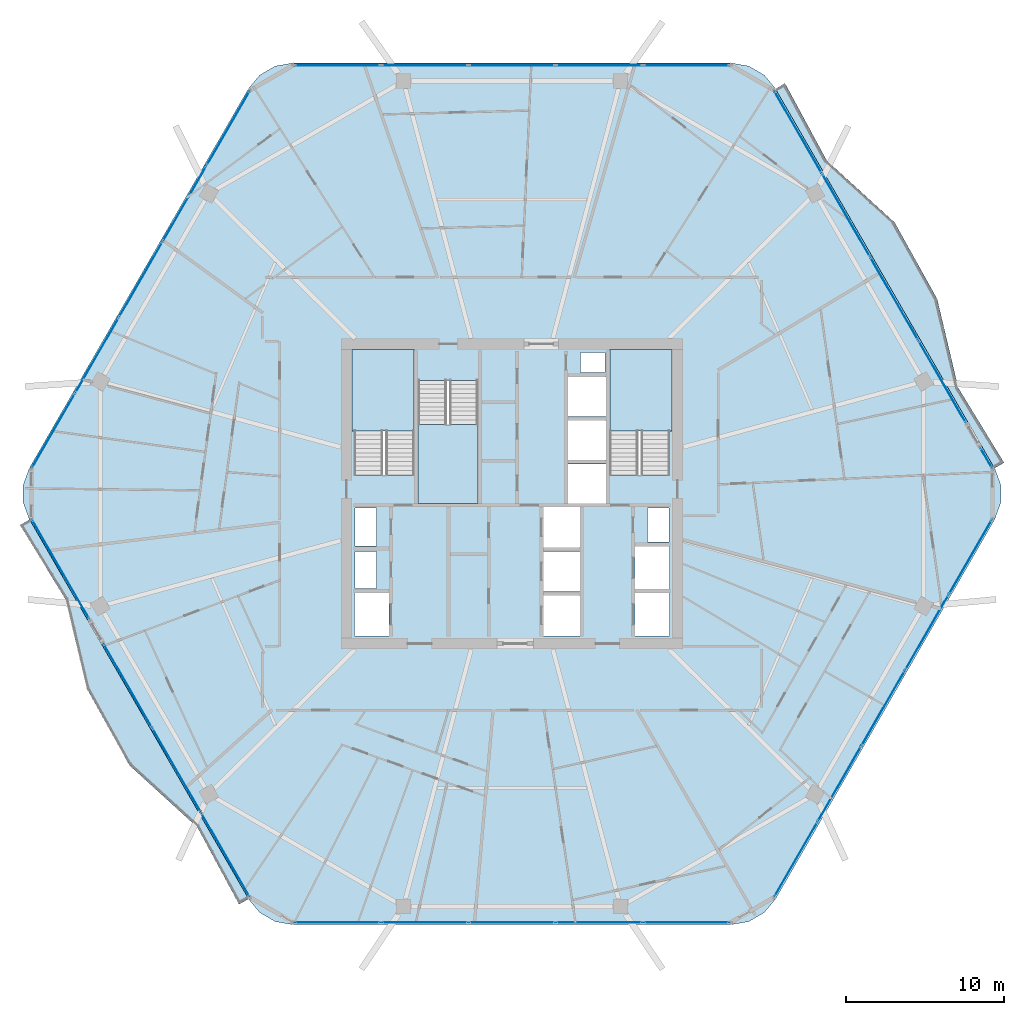
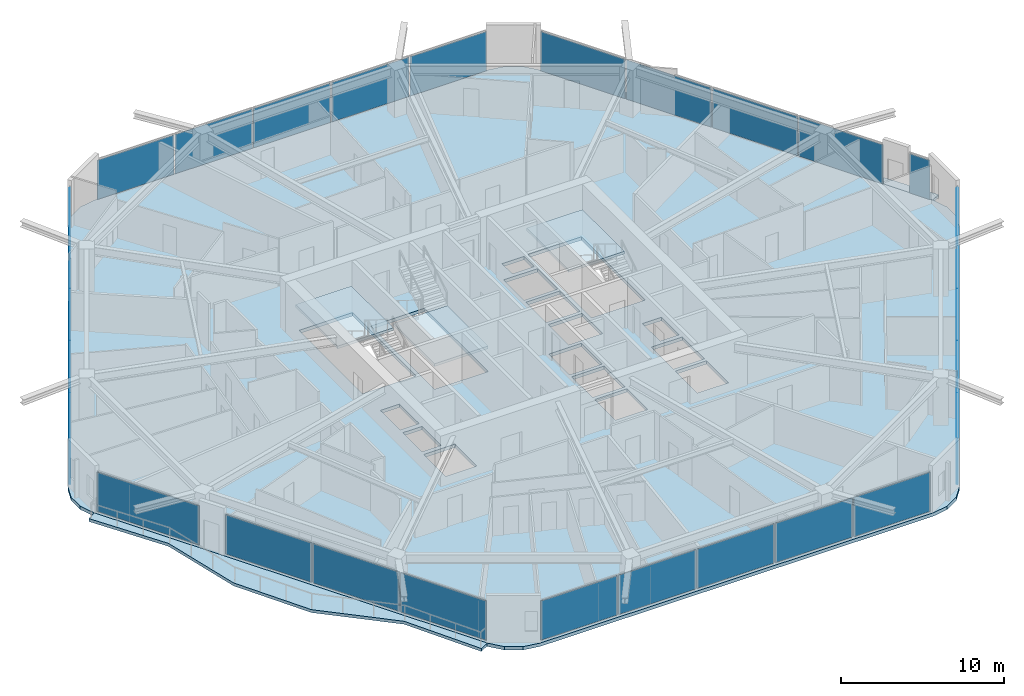
# One storey, part 17 of 26: 29 plates, 6 slabs, 11 elements without a shape of their own.
"""IFC4 building model written with IfcOpenShell, lengths in metres."""

import ifcopenshell
import ifcopenshell.guid

model = None  # the IFC model being written
_history = None  # IfcOwnerHistory: only IFC2X3 demands one
_inside = {}  # id of a spatial element -> (the spatial element, [elements in it])
_under = {}  # id of a project, library or spatial element -> (it, [spatial elements below it])
_declared = {}  # id of a project -> (the project, [libraries it declares])
_typed = {}  # id of a type object -> (the type object, [elements of that type])
_made_of = {}  # id of a material, layer set ... -> (it, [elements and type objects made of it])


def new_model(schema):
    """Start an empty IFC model of exactly this schema.

    Asked for "IFC4X3", IfcOpenShell would pick the latest addendum, in which some entities
    have other attributes; the version numbers below select the first issue.
    IFC2X3 requires an IfcOwnerHistory on every rooted entity: one is made here for all.
    """
    global model, _history
    if schema == "IFC4X3":
        model = ifcopenshell.file(schema_version=(4, 3, 0, 0))
    else:
        model = ifcopenshell.file(schema=schema)
    _inside.clear()
    _under.clear()
    _declared.clear()
    _typed.clear()
    _made_of.clear()
    _history = None
    if model.schema == "IFC2X3":
        org = make("IfcOrganization", Name="unknown")
        user = make(
            "IfcPersonAndOrganization",
            ThePerson=make("IfcPerson", FamilyName="unknown"),
            TheOrganization=org,
        )
        app = make(
            "IfcApplication",
            ApplicationDeveloper=org,
            Version="unknown",
            ApplicationFullName="unknown",
            ApplicationIdentifier="unknown",
        )
        _history = make(
            "IfcOwnerHistory",
            OwningUser=user,
            OwningApplication=app,
            ChangeAction="ADDED",
            CreationDate=0,
        )
    return model


def make(cls, **values):
    """One entity of the class cls with the attributes given. An attribute that is None is left unset."""
    return model.create_entity(
        cls, **{name: value for name, value in values.items() if value is not None}
    )


def rooted(cls, **values):
    """An entity with a GlobalId (a new one), such as an element, a storey or a relation."""
    return make(cls, GlobalId=ifcopenshell.guid.new(), OwnerHistory=_history, **values)


def si_unit(unit_type, name, prefix=None):
    """IfcSIUnit, for example si_unit("LENGTHUNIT", "METRE", prefix="MILLI")."""
    return make("IfcSIUnit", UnitType=unit_type, Prefix=prefix, Name=name)


def assignment(units):
    """IfcUnitAssignment: the units of a project."""
    return None if units is None else make("IfcUnitAssignment", Units=units)


def point(xyz):
    """IfcCartesianPoint."""
    return None if xyz is None else make("IfcCartesianPoint", Coordinates=xyz)


def direction(xyz):
    """IfcDirection."""
    return None if xyz is None else make("IfcDirection", DirectionRatios=xyz)


def frame(location, z_axis=None, x_axis=None):
    """IfcAxis2Placement3D, a coordinate frame: its origin and axes. An axis left out is left unset."""
    return make(
        "IfcAxis2Placement3D",
        Location=point(location),
        Axis=direction(z_axis),
        RefDirection=direction(x_axis),
    )


def frame_2d(location, x_axis=None):
    """IfcAxis2Placement2D, a coordinate frame in the plane: its origin and x axis."""
    return make(
        "IfcAxis2Placement2D", Location=point(location), RefDirection=direction(x_axis)
    )


def origin():
    """The frame at (0, 0, 0) with its axes left unset."""
    return frame((0.0, 0.0, 0.0))


def origin_2d():
    """The frame at (0, 0) in the plane with its x axis left unset."""
    return frame_2d((0.0, 0.0))


def place(relative_to, where):
    """IfcLocalPlacement: puts the frame where relative to a parent placement (None: the world)."""
    return make(
        "IfcLocalPlacement", PlacementRelTo=relative_to, RelativePlacement=where
    )


def context(
    kind, dimensions, precision=None, world=None, true_north=None, identifier=None
):
    """IfcGeometricRepresentationContext, for example the 3D "Model" context."""
    return make(
        "IfcGeometricRepresentationContext",
        ContextIdentifier=identifier,
        ContextType=kind,
        CoordinateSpaceDimension=dimensions,
        Precision=precision,
        WorldCoordinateSystem=world,
        TrueNorth=true_north,
    )


def subcontext(parent, identifier, kind, view, scale=None):
    """IfcGeometricRepresentationSubContext, for example "Body" below "Model"."""
    return make(
        "IfcGeometricRepresentationSubContext",
        ContextIdentifier=identifier,
        ContextType=kind,
        ParentContext=parent,
        TargetScale=scale,
        TargetView=view,
    )


def project(units=None, contexts=None):
    """IfcProject with its units and contexts."""
    return rooted(
        "IfcProject",
        Name="project",
        RepresentationContexts=contexts,
        UnitsInContext=assignment(units),
    )


def spatial(cls, under=None, at=None, **own):
    """A site, building, storey or space (cls), placed at a placement, below another one or the project."""
    s = rooted(cls, ObjectPlacement=at, **own)
    if under is not None:
        _under.setdefault(under.id(), (under, []))[1].append(s)
    return s


def polyline(points):
    """IfcPolyline through the points."""
    return make("IfcPolyline", Points=[point(p) for p in points])


def profile(cls, at=None, kind="AREA", **sizes):
    """A parametric profile (cls). Its sizes go by their IFC names, for example OverallWidth=200.0."""
    return make(cls, ProfileType=kind, Position=at, **sizes)


def rectangle(**sizes):
    """IfcRectangleProfileDef."""
    return profile("IfcRectangleProfileDef", **sizes)


def outline(outer, holes=None, kind="AREA"):
    """IfcArbitraryClosedProfileDef: a profile drawn as a closed curve; with holes, ...WithVoids."""
    if holes is None:
        return make("IfcArbitraryClosedProfileDef", ProfileType=kind, OuterCurve=outer)
    return make(
        "IfcArbitraryProfileDefWithVoids",
        ProfileType=kind,
        OuterCurve=outer,
        InnerCurves=holes,
    )


def extrude(swept, where, along, depth):
    """IfcExtrudedAreaSolid: the profile swept, set in the frame where, extruded along a direction by depth."""
    return make(
        "IfcExtrudedAreaSolid",
        SweptArea=swept,
        Position=where,
        ExtrudedDirection=direction(along),
        Depth=depth,
    )


def shape(context_of_items, identifier, shape_type, items):
    """IfcShapeRepresentation: the items that make up one representation, for example the "Body"."""
    return make(
        "IfcShapeRepresentation",
        ContextOfItems=context_of_items,
        RepresentationIdentifier=identifier,
        RepresentationType=shape_type,
        Items=items,
    )


def material(Name=None, Category=None):
    """IfcMaterial."""
    return make("IfcMaterial", Name=Name, Category=Category)


def layer(
    of_material, thickness, ventilated=None, Name=None, Category=None, Priority=None
):
    """IfcMaterialLayer: one layer of a wall or slab, of a material (None: an air gap)."""
    return make(
        "IfcMaterialLayer",
        Material=of_material,
        LayerThickness=thickness,
        IsVentilated=ventilated,
        Name=Name,
        Category=Category,
        Priority=Priority,
    )


def layer_set(layers, Name=None):
    """IfcMaterialLayerSet."""
    return make("IfcMaterialLayerSet", MaterialLayers=layers, LayerSetName=Name)


def made_of(thing, what):
    """Note that an element or type object is made of a material, layer set ...; save() writes the relation."""
    if what is not None:
        _made_of.setdefault(what.id(), (what, []))[1].append(thing)
    return thing


def type_object(cls, material=None, **own):
    """A type object (cls), such as IfcWallType, which elements share."""
    return made_of(rooted(cls, **own), material)


def element(
    cls,
    number,
    at=None,
    inside=None,
    cuts=None,
    type_object=None,
    material=None,
    context=None,
    identifier="Body",
    shape_type=None,
    held_by="IfcProductDefinitionShape",
    body=None,
    shapes=None,
    **own,
):
    """One element of the class cls, such as IfcWall. Its Tag is "e" and its number.

    at: its placement. inside: the storey or other place that contains it. cuts: it is an
    opening in that element (IfcRelVoidsElement). A single representation is given by context,
    identifier, shape_type and body (its items); several are given by shapes. held_by: the class
    of the entity that holds the representations. save() writes the other relations.
    """
    e = rooted(cls, Tag="e%d" % number, ObjectPlacement=at, **own)
    if body is not None:
        shapes = [shape(context, identifier, shape_type, body)]
    if shapes is not None:
        e.Representation = make(held_by, Representations=shapes)
    if inside is not None:
        _inside.setdefault(inside.id(), (inside, []))[1].append(e)
    if cuts is not None:
        rooted(
            "IfcRelVoidsElement", RelatingBuildingElement=cuts, RelatedOpeningElement=e
        )
    if type_object is not None:
        _typed.setdefault(type_object.id(), (type_object, []))[1].append(e)
    return made_of(e, material)


def aggregate(whole, parts):
    """IfcRelAggregates: a whole, such as a stair, and the parts it consists of."""
    return rooted("IfcRelAggregates", RelatingObject=whole, RelatedObjects=parts)


def save(model, path):
    """Write the relations noted so far, then the file.

    IfcRelAggregates (storeys below a building ...), IfcRelContainedInSpatialStructure (elements
    in a storey), IfcRelDefinesByType, IfcRelAssociatesMaterial and IfcRelDeclares: one each for
    every whole, place, type object, material and project.
    """
    for whole, parts in _under.values():
        aggregate(whole, parts)
    for where, things in _inside.values():
        rooted(
            "IfcRelContainedInSpatialStructure",
            RelatedElements=things,
            RelatingStructure=where,
        )
    for kind, things in _typed.values():
        rooted("IfcRelDefinesByType", RelatedObjects=things, RelatingType=kind)
    for what, things in _made_of.values():
        rooted("IfcRelAssociatesMaterial", RelatedObjects=things, RelatingMaterial=what)
    for by, libraries in _declared.values():
        rooted("IfcRelDeclares", RelatingContext=by, RelatedDefinitions=libraries)
    model.write(path)


model = new_model("IFC4")

# Units and contexts
model_context = context("Model", 3, precision=1e-05, world=origin(), true_north=direction((0.0, 1.0)))
body_context = subcontext(model_context, "Body", "Model", "MODEL_VIEW")
ifc_project = project(units=[si_unit("LENGTHUNIT", "METRE"), si_unit("AREAUNIT", "SQUARE_METRE"), si_unit("VOLUMEUNIT", "CUBIC_METRE"), si_unit("PLANEANGLEUNIT", "RADIAN"), si_unit("MASSUNIT", "GRAM", prefix="KILO")], contexts=[model_context])

# Site, building, storey
site_placement = place(None, origin())
site = spatial("IfcSite", under=ifc_project, at=site_placement, CompositionType="ELEMENT")
building_placement = place(site_placement, origin())
building = spatial("IfcBuilding", under=site, at=building_placement, Name="Zuhravey Tower", CompositionType="ELEMENT")
storey_placement = place(building_placement, frame((0.0, 0.0, 203.60009765625)))
storey = spatial("IfcBuildingStorey", under=building, at=storey_placement, Name="L51", CompositionType="ELEMENT", Elevation=203.60009765625)

# Slabs
ifc_material_1 = material(Name="Concrete C50/60", Category="concrete")
ifc_layer_1 = layer(ifc_material_1, 0.25)
ifc_layer_set_1 = layer_set([ifc_layer_1], Name="Concrete C50/60")
slab_type_1 = type_object("IfcSlabType", Name="Residential Acoustic Slab 250", PredefinedType="FLOOR", material=ifc_layer_set_1)
slab_1_placement = place(storey_placement, frame((0.0, 0.0, -0.25)))
element("IfcSlab", 1, at=slab_1_placement, inside=storey, type_object=slab_type_1, Name="L51 Floor Slab FS25", PredefinedType="FLOOR", context=body_context, shape_type="SweptSolid", body=[
    extrude(outline(polyline([(66.61181640625, 30.375), (66.997802734375, 31.435546875), (66.997802734375, 32.564453125), (66.61181640625, 33.625), (52.713134765625, 57.697998046875), (51.98779296875, 58.562744140625), (51.01025390625, 59.127197265625), (49.898681640625, 59.322998046875), (22.101318359375, 59.322998046875), (20.98974609375, 59.127197265625), (20.01220703125, 58.562744140625), (19.286865234375, 57.697998046875), (5.38818359375, 33.625), (5.002197265625, 32.564453125), (5.002197265625, 31.435546875), (5.38818359375, 30.375), (19.286865234375, 6.302001953125), (20.01220703125, 5.437255859375), (20.98974609375, 4.872802734375), (22.101318359375, 4.677001953125), (49.898681640625, 4.677001953125), (51.01025390625, 4.872802734375), (51.98779296875, 5.437255859375), (52.713134765625, 6.302001953125), (66.61181640625, 30.375)]), holes=[polyline([(29.800048828125, 33.20068359375), (29.800048828125, 41.0), (26.0, 41.0), (26.0, 33.20068359375), (29.800048828125, 33.20068359375)]), polyline([(46.0, 33.20068359375), (46.0, 41.0), (42.199951171875, 41.0), (42.199951171875, 33.20068359375), (46.0, 33.20068359375)]), polyline([(30.050048828125, 39.199462890625), (30.050048828125, 31.39990234375), (33.85009765625, 31.39990234375), (33.85009765625, 39.199462890625), (30.050048828125, 39.199462890625)]), polyline([(38.0, 23.0), (40.300048828125, 23.0), (40.300048828125, 25.550048828125), (38.0, 25.550048828125), (38.0, 23.0)]), polyline([(38.0, 25.800048828125), (40.300048828125, 25.800048828125), (40.300048828125, 28.35009765625), (38.0, 28.35009765625), (38.0, 25.800048828125)]), polyline([(38.0, 28.60009765625), (40.300048828125, 28.60009765625), (40.300048828125, 31.14990234375), (38.0, 31.14990234375), (38.0, 28.60009765625)]), polyline([(39.550048828125, 31.39990234375), (41.949951171875, 31.39990234375), (41.949951171875, 33.89990234375), (39.550048828125, 33.89990234375), (39.550048828125, 31.39990234375)]), polyline([(39.550048828125, 34.14990234375), (41.949951171875, 34.14990234375), (41.949951171875, 36.64990234375), (39.550048828125, 36.64990234375), (39.550048828125, 34.14990234375)]), polyline([(39.550048828125, 36.89990234375), (41.949951171875, 36.89990234375), (41.949951171875, 39.39990234375), (39.550048828125, 39.39990234375), (39.550048828125, 36.89990234375)]), polyline([(26.0, 23.0), (28.199951171875, 23.0), (28.199951171875, 25.699951171875), (26.0, 25.699951171875), (26.0, 23.0)]), polyline([(43.800048828125, 23.0), (46.0, 23.0), (46.0, 25.699951171875), (43.800048828125, 25.699951171875), (43.800048828125, 23.0)]), polyline([(43.800048828125, 25.949951171875), (46.0, 25.949951171875), (46.0, 28.64990234375), (43.800048828125, 28.64990234375), (43.800048828125, 25.949951171875)]), polyline([(26.050048828125, 26.0), (27.39990234375, 26.0), (27.39990234375, 28.35009765625), (26.050048828125, 28.35009765625), (26.050048828125, 26.0)]), polyline([(26.050048828125, 28.699951171875), (27.39990234375, 28.699951171875), (27.39990234375, 31.10009765625), (26.050048828125, 31.10009765625), (26.050048828125, 28.699951171875)]), polyline([(44.60009765625, 28.949951171875), (45.949951171875, 28.949951171875), (45.949951171875, 31.10009765625), (44.60009765625, 31.10009765625), (44.60009765625, 28.949951171875)]), polyline([(40.35009765625, 39.699951171875), (41.89990234375, 39.699951171875), (41.89990234375, 40.949951171875), (40.35009765625, 40.949951171875), (40.35009765625, 39.699951171875)])]), origin(), (0.0, 0.0, 1.0), 0.25),
])
ifc_material_2 = material(Name="Concrete C40/50", Category="concrete")
ifc_layer_2 = layer(ifc_material_2, 0.219970703125)
ifc_layer_set_2 = layer_set([ifc_layer_2], Name="Concrete C40/50")
slab_type_2 = type_object("IfcSlabType", Name="Sinusoidal Residential Wave Balcony 220", PredefinedType="FLOOR", material=ifc_layer_set_2)
slab_2_placement = place(storey_placement, frame((0.0, 0.0, -0.22021484375)))
element("IfcSlab", 2, at=slab_2_placement, inside=storey, type_object=slab_type_2, Name="L51 Face 4 Wave Balcony WB22", PredefinedType="FLOOR", context=body_context, shape_type="SweptSolid", body=[
    extrude(outline(polyline([(5.405517578125, 30.375), (19.29541015625, 6.31689453125), (18.689208984375, 5.966796875), (16.0458984375, 10.856201171875), (11.739501953125, 14.785400390625), (9.039794921875, 19.64208984375), (7.700439453125, 25.284423828125), (4.79931640625, 30.02490234375), (5.405517578125, 30.375)])), origin(), (0.0, 0.0, 1.0), 0.22021484375),
])
slab_3_placement = place(storey_placement, frame((0.0, 0.0, -0.22021484375)))
element("IfcSlab", 3, at=slab_3_placement, inside=storey, type_object=slab_type_2, Name="L51 Face 1 Wave Balcony WB22", PredefinedType="FLOOR", context=body_context, shape_type="SweptSolid", body=[
    extrude(outline(polyline([(66.594482421875, 33.625), (52.70458984375, 57.68310546875), (53.310791015625, 58.033203125), (55.9541015625, 53.143798828125), (60.260498046875, 49.214599609375), (62.960205078125, 44.35791015625), (64.299560546875, 38.715576171875), (67.20068359375, 33.97509765625), (66.594482421875, 33.625)])), origin(), (0.0, 0.0, 1.0), 0.22021484375),
])

# Stair, slab
stair_type = type_object("IfcStairType", Name="Housing Storey Stair Assembly 3800", PredefinedType="HALF_TURN_STAIR", material=ifc_material_2)
stair_1_placement = place(storey_placement, origin())
stair_1 = element("IfcStair", 4, at=stair_1_placement, inside=storey, type_object=stair_type, Name="L51 Core Exit Stair ST1", PredefinedType="HALF_TURN_STAIR")
ifc_layer_3 = layer(ifc_material_2, 0.199951171875)
ifc_layer_set_3 = layer_set([ifc_layer_3], Name="Concrete C40/50")
slab_type_3 = type_object("IfcSlabType", Name="Stair Landing Slab 200", PredefinedType="LANDING", material=ifc_layer_set_3)
slab_4_placement = place(storey_placement, frame((0.0, 0.0, 1.699951171875)))
slab_4 = element("IfcSlab", 5, at=slab_4_placement, type_object=slab_type_3, Name="ST1 landing 1", PredefinedType="LANDING", context=body_context, shape_type="SweptSolid", body=[
    extrude(outline(polyline([(29.800048828125, 36.0), (29.800048828125, 41.14794921875), (25.85205078125, 41.14794921875), (25.85205078125, 36.0), (29.800048828125, 36.0)])), origin(), (0.0, 0.0, 1.0), 0.199951171875),
])
aggregate(stair_1, [slab_4])

stair_2_placement = place(storey_placement, origin())
stair_2 = element("IfcStair", 6, at=stair_2_placement, inside=storey, type_object=stair_type, Name="L51 Core Exit Stair ST2", PredefinedType="HALF_TURN_STAIR")
slab_5_placement = place(storey_placement, frame((0.0, 0.0, 1.699951171875)))
slab_5 = element("IfcSlab", 7, at=slab_5_placement, type_object=slab_type_3, Name="ST2 landing 1", PredefinedType="LANDING", context=body_context, shape_type="SweptSolid", body=[
    extrude(outline(polyline([(46.14794921875, 36.0), (46.14794921875, 41.14794921875), (42.199951171875, 41.14794921875), (42.199951171875, 36.0), (46.14794921875, 36.0)])), origin(), (0.0, 0.0, 1.0), 0.199951171875),
])
aggregate(stair_2, [slab_5])

stair_3_placement = place(storey_placement, origin())
stair_3 = element("IfcStair", 8, at=stair_3_placement, inside=storey, type_object=stair_type, Name="L51 Core Exit Stair ST3", PredefinedType="HALF_TURN_STAIR")
slab_6_placement = place(storey_placement, frame((0.0, 0.0, 1.699951171875)))
slab_6 = element("IfcSlab", 9, at=slab_6_placement, type_object=slab_type_3, Name="ST3 landing 1", PredefinedType="LANDING", context=body_context, shape_type="SweptSolid", body=[
    extrude(outline(polyline([(30.050048828125, 36.39990234375), (30.050048828125, 31.39990234375), (33.85009765625, 31.39990234375), (33.85009765625, 36.39990234375), (30.050048828125, 36.39990234375)])), origin(), (0.0, 0.0, 1.0), 0.199951171875),
])
aggregate(stair_3, [slab_6])

# Curtain wall, plates
ifc_material_3 = material(Name="Thermally broken anodised aluminium", Category="aluminium")
curtain_wall_type = type_object("IfcCurtainWallType", Name="Zone 1-2 Residential Curtain Wall CW3", PredefinedType="NOTDEFINED", material=ifc_material_3)
curtain_wall_1_placement = place(storey_placement, origin())
curtain_wall_1 = element("IfcCurtainWall", 10, at=curtain_wall_1_placement, inside=storey, type_object=curtain_wall_type, Name="L51 CW3 CW-L51-F6-1", PredefinedType="NOTDEFINED")
ifc_material_4 = material(Name="Triple low-E insulated vision glass", Category="glass")
ifc_layer_4 = layer(ifc_material_4, 0.0419921875)
ifc_layer_set_4 = layer_set([ifc_layer_4], Name="Triple low-E insulated vision glass")
plate_type = type_object("IfcPlateType", Name="Triple Low-E Vision Panel", PredefinedType="CURTAIN_PANEL", material=ifc_layer_set_4)
plate_1_placement = place(storey_placement, frame((65.074462890625, 27.9921875, 0.08984375), z_axis=(0.0, 0.0, 1.0), x_axis=(-0.500000459979, -0.866025138215, 0.0)))
plate_1 = element("IfcPlate", 11, at=plate_1_placement, type_object=plate_type, Name="CW3 panel 1.1", PredefinedType="CURTAIN_PANEL", context=body_context, shape_type="SweptSolid", body=[
    extrude(rectangle(XDim=5.409423828125, YDim=0.0419921875, at=origin_2d()), origin(), (0.0, 0.0, 1.0), 2.94189453125),
])
plate_2_placement = place(storey_placement, frame((62.3134765625, 23.2099609375, 0.08984375), z_axis=(0.0, 0.0, 1.0), x_axis=(-0.500000459979, -0.866025138215, 0.0)))
plate_2 = element("IfcPlate", 12, at=plate_2_placement, type_object=plate_type, Name="CW3 panel 2.1", PredefinedType="CURTAIN_PANEL", context=body_context, shape_type="SweptSolid", body=[
    extrude(rectangle(XDim=5.454345703125, YDim=0.0419921875, at=origin_2d()), origin(), (0.0, 0.0, 1.0), 2.94189453125),
])
plate_3_placement = place(storey_placement, frame((59.541259765625, 18.408447265625, 0.08984375), z_axis=(0.0, 0.0, 1.0), x_axis=(-0.500000459979, -0.866025138215, 0.0)))
plate_3 = element("IfcPlate", 13, at=plate_3_placement, type_object=plate_type, Name="CW3 panel 3.1", PredefinedType="CURTAIN_PANEL", context=body_context, shape_type="SweptSolid", body=[
    extrude(rectangle(XDim=5.454345703125, YDim=0.0419921875, at=origin_2d()), origin(), (0.0, 0.0, 1.0), 2.94189453125),
])
plate_4_placement = place(storey_placement, frame((56.76904296875, 13.60693359375, 0.08984375), z_axis=(0.0, 0.0, 1.0), x_axis=(-0.500000459979, -0.866025138215, 0.0)))
plate_4 = element("IfcPlate", 14, at=plate_4_placement, type_object=plate_type, Name="CW3 panel 4.1", PredefinedType="CURTAIN_PANEL", context=body_context, shape_type="SweptSolid", body=[
    extrude(rectangle(XDim=5.454345703125, YDim=0.0419921875, at=origin_2d()), origin(), (0.0, 0.0, 1.0), 2.94189453125),
])
plate_5_placement = place(storey_placement, frame((54.008056640625, 8.82470703125, 0.08984375), z_axis=(0.0, 0.0, 1.0), x_axis=(-0.500000459979, -0.866025138215, 0.0)))
plate_5 = element("IfcPlate", 15, at=plate_5_placement, type_object=plate_type, Name="CW3 panel 5.1", PredefinedType="CURTAIN_PANEL", context=body_context, shape_type="SweptSolid", body=[
    extrude(rectangle(XDim=5.409423828125, YDim=0.0419921875, at=origin_2d()), origin(), (0.0, 0.0, 1.0), 2.94189453125),
])
aggregate(curtain_wall_1, [plate_1, plate_2, plate_3, plate_4, plate_5])

curtain_wall_2_placement = place(storey_placement, origin())
curtain_wall_2 = element("IfcCurtainWall", 16, at=curtain_wall_2_placement, inside=storey, type_object=curtain_wall_type, Name="L51 CW3 CW-L51-F5-1", PredefinedType="NOTDEFINED")
plate_6_placement = place(storey_placement, frame((47.06640625, 4.81689453125, 0.08984375), z_axis=(0.0, 0.0, 1.0), x_axis=(-1.0, 0.0, 0.0)))
plate_6 = element("IfcPlate", 17, at=plate_6_placement, type_object=plate_type, Name="CW3 panel 1.1", PredefinedType="CURTAIN_PANEL", context=body_context, shape_type="SweptSolid", body=[
    extrude(rectangle(XDim=5.409423828125, YDim=0.0419921875, at=origin_2d()), origin(), (0.0, 0.0, 1.0), 2.94189453125),
])
plate_7_placement = place(storey_placement, frame((41.54443359375, 4.81689453125, 0.08984375), z_axis=(0.0, 0.0, 1.0), x_axis=(-1.0, 0.0, 0.0)))
plate_7 = element("IfcPlate", 18, at=plate_7_placement, type_object=plate_type, Name="CW3 panel 2.1", PredefinedType="CURTAIN_PANEL", context=body_context, shape_type="SweptSolid", body=[
    extrude(rectangle(XDim=5.454345703125, YDim=0.0419921875, at=origin_2d()), origin(), (0.0, 0.0, 1.0), 2.94189453125),
])
plate_8_placement = place(storey_placement, frame((36.0, 4.81689453125, 0.08984375), z_axis=(0.0, 0.0, 1.0), x_axis=(-1.0, 0.0, 0.0)))
plate_8 = element("IfcPlate", 19, at=plate_8_placement, type_object=plate_type, Name="CW3 panel 3.1", PredefinedType="CURTAIN_PANEL", context=body_context, shape_type="SweptSolid", body=[
    extrude(rectangle(XDim=5.454345703125, YDim=0.0419921875, at=origin_2d()), origin(), (0.0, 0.0, 1.0), 2.94189453125),
])
plate_9_placement = place(storey_placement, frame((30.45556640625, 4.81689453125, 0.08984375), z_axis=(0.0, 0.0, 1.0), x_axis=(-1.0, 0.0, 0.0)))
plate_9 = element("IfcPlate", 20, at=plate_9_placement, type_object=plate_type, Name="CW3 panel 4.1", PredefinedType="CURTAIN_PANEL", context=body_context, shape_type="SweptSolid", body=[
    extrude(rectangle(XDim=5.454345703125, YDim=0.0419921875, at=origin_2d()), origin(), (0.0, 0.0, 1.0), 2.94189453125),
])
plate_10_placement = place(storey_placement, frame((24.93359375, 4.81689453125, 0.08984375), z_axis=(0.0, 0.0, 1.0), x_axis=(-1.0, 0.0, 0.0)))
plate_10 = element("IfcPlate", 21, at=plate_10_placement, type_object=plate_type, Name="CW3 panel 5.1", PredefinedType="CURTAIN_PANEL", context=body_context, shape_type="SweptSolid", body=[
    extrude(rectangle(XDim=5.409423828125, YDim=0.0419921875, at=origin_2d()), origin(), (0.0, 0.0, 1.0), 2.94189453125),
])
aggregate(curtain_wall_2, [plate_6, plate_7, plate_8, plate_9, plate_10])

curtain_wall_3_placement = place(storey_placement, origin())
curtain_wall_3 = element("IfcCurtainWall", 22, at=curtain_wall_3_placement, inside=storey, type_object=curtain_wall_type, Name="L51 CW3 CW-L51-F4-1", PredefinedType="NOTDEFINED")
plate_11_placement = place(storey_placement, frame((17.825927734375, 9.1123046875, 0.08984375), z_axis=(0.0, 0.0, 1.0), x_axis=(-0.500000204249, 0.866025285861, 0.0)))
plate_11 = element("IfcPlate", 23, at=plate_11_placement, type_object=plate_type, Name="CW3 panel 1.1", PredefinedType="CURTAIN_PANEL", context=body_context, shape_type="SweptSolid", body=[
    extrude(rectangle(XDim=6.073974609375, YDim=0.0419921875, at=origin_2d()), origin(), (0.0, 0.0, 1.0), 2.94189453125),
])
plate_12_placement = place(storey_placement, frame((14.732666015625, 14.469970703125, 0.08984375), z_axis=(0.0, 0.0, 1.0), x_axis=(-0.500000204249, 0.866025285861, 0.0)))
plate_12 = element("IfcPlate", 24, at=plate_12_placement, type_object=plate_type, Name="CW3 panel 2.1", PredefinedType="CURTAIN_PANEL", context=body_context, shape_type="SweptSolid", body=[
    extrude(rectangle(XDim=6.118896484375, YDim=0.0419921875, at=origin_2d()), origin(), (0.0, 0.0, 1.0), 2.94189453125),
])
plate_13_placement = place(storey_placement, frame((11.639404296875, 19.827392578125, 0.08984375), z_axis=(0.0, 0.0, 1.0), x_axis=(-0.500000204249, 0.866025285861, 0.0)))
plate_13 = element("IfcPlate", 25, at=plate_13_placement, type_object=plate_type, Name="CW3 panel 3.1", PredefinedType="CURTAIN_PANEL", context=body_context, shape_type="SweptSolid", body=[
    extrude(rectangle(XDim=6.073974609375, YDim=0.0419921875, at=origin_2d()), origin(), (0.0, 0.0, 1.0), 2.94189453125),
])
aggregate(curtain_wall_3, [plate_11, plate_12, plate_13])

# Curtain wall, plate
curtain_wall_4_placement = place(storey_placement, origin())
curtain_wall_4 = element("IfcCurtainWall", 26, at=curtain_wall_4_placement, inside=storey, type_object=curtain_wall_type, Name="L51 CW3 CW-L51-F4-2", PredefinedType="NOTDEFINED")
plate_14_placement = place(storey_placement, frame((7.377197265625, 27.210205078125, 0.08984375), z_axis=(0.0, 0.0, 1.0), x_axis=(-0.499998681231, 0.866026165175, 0.0)))
plate_14 = element("IfcPlate", 27, at=plate_14_placement, type_object=plate_type, Name="CW3 panel 1.1", PredefinedType="CURTAIN_PANEL", context=body_context, shape_type="SweptSolid", body=[
    extrude(rectangle(XDim=7.215576171875, YDim=0.0419921875, at=origin_2d()), origin(), (0.0, 0.0, 1.0), 2.94189453125),
])
aggregate(curtain_wall_4, [plate_14])

# Curtain wall, plates
curtain_wall_5_placement = place(storey_placement, origin())
curtain_wall_5 = element("IfcCurtainWall", 28, at=curtain_wall_5_placement, inside=storey, type_object=curtain_wall_type, Name="L51 CW3 CW-L51-F3-1", PredefinedType="NOTDEFINED")
plate_15_placement = place(storey_placement, frame((6.925537109375, 36.0078125, 0.08984375), z_axis=(0.0, 0.0, 1.0), x_axis=(0.500000459979, 0.866025138215, 0.0)))
plate_15 = element("IfcPlate", 29, at=plate_15_placement, type_object=plate_type, Name="CW3 panel 1.1", PredefinedType="CURTAIN_PANEL", context=body_context, shape_type="SweptSolid", body=[
    extrude(rectangle(XDim=5.409423828125, YDim=0.0419921875, at=origin_2d()), origin(), (0.0, 0.0, 1.0), 2.94189453125),
])
plate_16_placement = place(storey_placement, frame((9.6865234375, 40.7900390625, 0.08984375), z_axis=(0.0, 0.0, 1.0), x_axis=(0.500000459979, 0.866025138215, 0.0)))
plate_16 = element("IfcPlate", 30, at=plate_16_placement, type_object=plate_type, Name="CW3 panel 2.1", PredefinedType="CURTAIN_PANEL", context=body_context, shape_type="SweptSolid", body=[
    extrude(rectangle(XDim=5.454345703125, YDim=0.0419921875, at=origin_2d()), origin(), (0.0, 0.0, 1.0), 2.94189453125),
])
plate_17_placement = place(storey_placement, frame((12.458740234375, 45.591552734375, 0.08984375), z_axis=(0.0, 0.0, 1.0), x_axis=(0.500000459979, 0.866025138215, 0.0)))
plate_17 = element("IfcPlate", 31, at=plate_17_placement, type_object=plate_type, Name="CW3 panel 3.1", PredefinedType="CURTAIN_PANEL", context=body_context, shape_type="SweptSolid", body=[
    extrude(rectangle(XDim=5.454345703125, YDim=0.0419921875, at=origin_2d()), origin(), (0.0, 0.0, 1.0), 2.94189453125),
])
plate_18_placement = place(storey_placement, frame((15.23095703125, 50.39306640625, 0.08984375), z_axis=(0.0, 0.0, 1.0), x_axis=(0.500000459979, 0.866025138215, 0.0)))
plate_18 = element("IfcPlate", 32, at=plate_18_placement, type_object=plate_type, Name="CW3 panel 4.1", PredefinedType="CURTAIN_PANEL", context=body_context, shape_type="SweptSolid", body=[
    extrude(rectangle(XDim=5.454345703125, YDim=0.0419921875, at=origin_2d()), origin(), (0.0, 0.0, 1.0), 2.94189453125),
])
plate_19_placement = place(storey_placement, frame((17.991943359375, 55.17529296875, 0.08984375), z_axis=(0.0, 0.0, 1.0), x_axis=(0.500000459979, 0.866025138215, 0.0)))
plate_19 = element("IfcPlate", 33, at=plate_19_placement, type_object=plate_type, Name="CW3 panel 5.1", PredefinedType="CURTAIN_PANEL", context=body_context, shape_type="SweptSolid", body=[
    extrude(rectangle(XDim=5.409423828125, YDim=0.0419921875, at=origin_2d()), origin(), (0.0, 0.0, 1.0), 2.94189453125),
])
aggregate(curtain_wall_5, [plate_15, plate_16, plate_17, plate_18, plate_19])

curtain_wall_6_placement = place(storey_placement, origin())
curtain_wall_6 = element("IfcCurtainWall", 34, at=curtain_wall_6_placement, inside=storey, type_object=curtain_wall_type, Name="L51 CW3 CW-L51-F2-1", PredefinedType="NOTDEFINED")
plate_20_placement = place(storey_placement, frame((24.93359375, 59.18310546875, 0.08984375), z_axis=(0.0, 0.0, 1.0), x_axis=(1.0, 0.0, 0.0)))
plate_20 = element("IfcPlate", 35, at=plate_20_placement, type_object=plate_type, Name="CW3 panel 1.1", PredefinedType="CURTAIN_PANEL", context=body_context, shape_type="SweptSolid", body=[
    extrude(rectangle(XDim=5.409423828125, YDim=0.0419921875, at=origin_2d()), origin(), (0.0, 0.0, 1.0), 2.94189453125),
])
plate_21_placement = place(storey_placement, frame((30.45556640625, 59.18310546875, 0.08984375), z_axis=(0.0, 0.0, 1.0), x_axis=(1.0, 0.0, 0.0)))
plate_21 = element("IfcPlate", 36, at=plate_21_placement, type_object=plate_type, Name="CW3 panel 2.1", PredefinedType="CURTAIN_PANEL", context=body_context, shape_type="SweptSolid", body=[
    extrude(rectangle(XDim=5.454345703125, YDim=0.0419921875, at=origin_2d()), origin(), (0.0, 0.0, 1.0), 2.94189453125),
])
plate_22_placement = place(storey_placement, frame((36.0, 59.18310546875, 0.08984375), z_axis=(0.0, 0.0, 1.0), x_axis=(1.0, 0.0, 0.0)))
plate_22 = element("IfcPlate", 37, at=plate_22_placement, type_object=plate_type, Name="CW3 panel 3.1", PredefinedType="CURTAIN_PANEL", context=body_context, shape_type="SweptSolid", body=[
    extrude(rectangle(XDim=5.454345703125, YDim=0.0419921875, at=origin_2d()), origin(), (0.0, 0.0, 1.0), 2.94189453125),
])
plate_23_placement = place(storey_placement, frame((41.54443359375, 59.18310546875, 0.08984375), z_axis=(0.0, 0.0, 1.0), x_axis=(1.0, 0.0, 0.0)))
plate_23 = element("IfcPlate", 38, at=plate_23_placement, type_object=plate_type, Name="CW3 panel 4.1", PredefinedType="CURTAIN_PANEL", context=body_context, shape_type="SweptSolid", body=[
    extrude(rectangle(XDim=5.454345703125, YDim=0.0419921875, at=origin_2d()), origin(), (0.0, 0.0, 1.0), 2.94189453125),
])
plate_24_placement = place(storey_placement, frame((47.06640625, 59.18310546875, 0.08984375), z_axis=(0.0, 0.0, 1.0), x_axis=(1.0, 0.0, 0.0)))
plate_24 = element("IfcPlate", 39, at=plate_24_placement, type_object=plate_type, Name="CW3 panel 5.1", PredefinedType="CURTAIN_PANEL", context=body_context, shape_type="SweptSolid", body=[
    extrude(rectangle(XDim=5.409423828125, YDim=0.0419921875, at=origin_2d()), origin(), (0.0, 0.0, 1.0), 2.94189453125),
])
aggregate(curtain_wall_6, [plate_20, plate_21, plate_22, plate_23, plate_24])

curtain_wall_7_placement = place(storey_placement, origin())
curtain_wall_7 = element("IfcCurtainWall", 40, at=curtain_wall_7_placement, inside=storey, type_object=curtain_wall_type, Name="L51 CW3 CW-L51-F1-1", PredefinedType="NOTDEFINED")
plate_25_placement = place(storey_placement, frame((54.1474609375, 54.933837890625, 0.08984375), z_axis=(0.0, 0.0, 1.0), x_axis=(0.500002278674, -0.866024088187, 0.0)))
plate_25 = element("IfcPlate", 41, at=plate_25_placement, type_object=plate_type, Name="CW3 panel 1.1", PredefinedType="CURTAIN_PANEL", context=body_context, shape_type="SweptSolid", body=[
    extrude(rectangle(XDim=5.966796875, YDim=0.0419921875, at=origin_2d()), origin(), (0.0, 0.0, 1.0), 2.94189453125),
])
plate_26_placement = place(storey_placement, frame((57.18701171875, 49.669189453125, 0.08984375), z_axis=(0.0, 0.0, 1.0), x_axis=(0.500002278674, -0.866024088187, 0.0)))
plate_26 = element("IfcPlate", 42, at=plate_26_placement, type_object=plate_type, Name="CW3 panel 2.1", PredefinedType="CURTAIN_PANEL", context=body_context, shape_type="SweptSolid", body=[
    extrude(rectangle(XDim=6.01171875, YDim=0.0419921875, at=origin_2d()), origin(), (0.0, 0.0, 1.0), 2.94189453125),
])
plate_27_placement = place(storey_placement, frame((60.238037109375, 44.384765625, 0.08984375), z_axis=(0.0, 0.0, 1.0), x_axis=(0.500002278674, -0.866024088187, 0.0)))
plate_27 = element("IfcPlate", 43, at=plate_27_placement, type_object=plate_type, Name="CW3 panel 3.1", PredefinedType="CURTAIN_PANEL", context=body_context, shape_type="SweptSolid", body=[
    extrude(rectangle(XDim=6.01171875, YDim=0.0419921875, at=origin_2d()), origin(), (0.0, 0.0, 1.0), 2.94189453125),
])
plate_28_placement = place(storey_placement, frame((63.277587890625, 39.119873046875, 0.08984375), z_axis=(0.0, 0.0, 1.0), x_axis=(0.500002278674, -0.866024088187, 0.0)))
plate_28 = element("IfcPlate", 44, at=plate_28_placement, type_object=plate_type, Name="CW3 panel 4.1", PredefinedType="CURTAIN_PANEL", context=body_context, shape_type="SweptSolid", body=[
    extrude(rectangle(XDim=5.966796875, YDim=0.0419921875, at=origin_2d()), origin(), (0.0, 0.0, 1.0), 2.94189453125),
])
aggregate(curtain_wall_7, [plate_25, plate_26, plate_27, plate_28])

# Curtain wall, plate
curtain_wall_8_placement = place(storey_placement, origin())
curtain_wall_8 = element("IfcCurtainWall", 45, at=curtain_wall_8_placement, inside=storey, type_object=curtain_wall_type, Name="L51 CW3 CW-L51-F1-2", PredefinedType="NOTDEFINED")
plate_29_placement = place(storey_placement, frame((66.068115234375, 34.286865234375, 0.08984375), z_axis=(0.0, 0.0, 1.0), x_axis=(0.499988690087, -0.866031933467, 0.0)))
plate_29 = element("IfcPlate", 46, at=plate_29_placement, type_object=plate_type, Name="CW3 panel 1.1", PredefinedType="CURTAIN_PANEL", context=body_context, shape_type="SweptSolid", body=[
    extrude(rectangle(XDim=1.434814453125, YDim=0.0419921875, at=origin_2d()), origin(), (0.0, 0.0, 1.0), 2.94189453125),
])
aggregate(curtain_wall_8, [plate_29])

save(model, "model.ifc")
